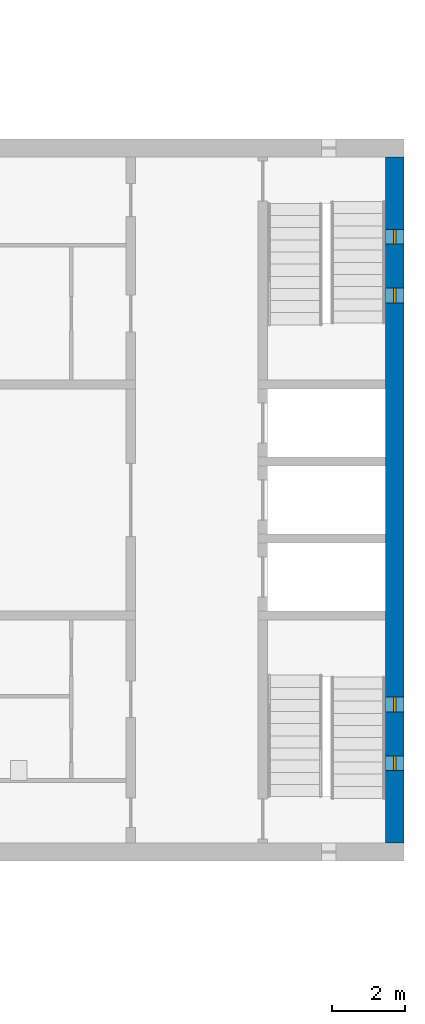
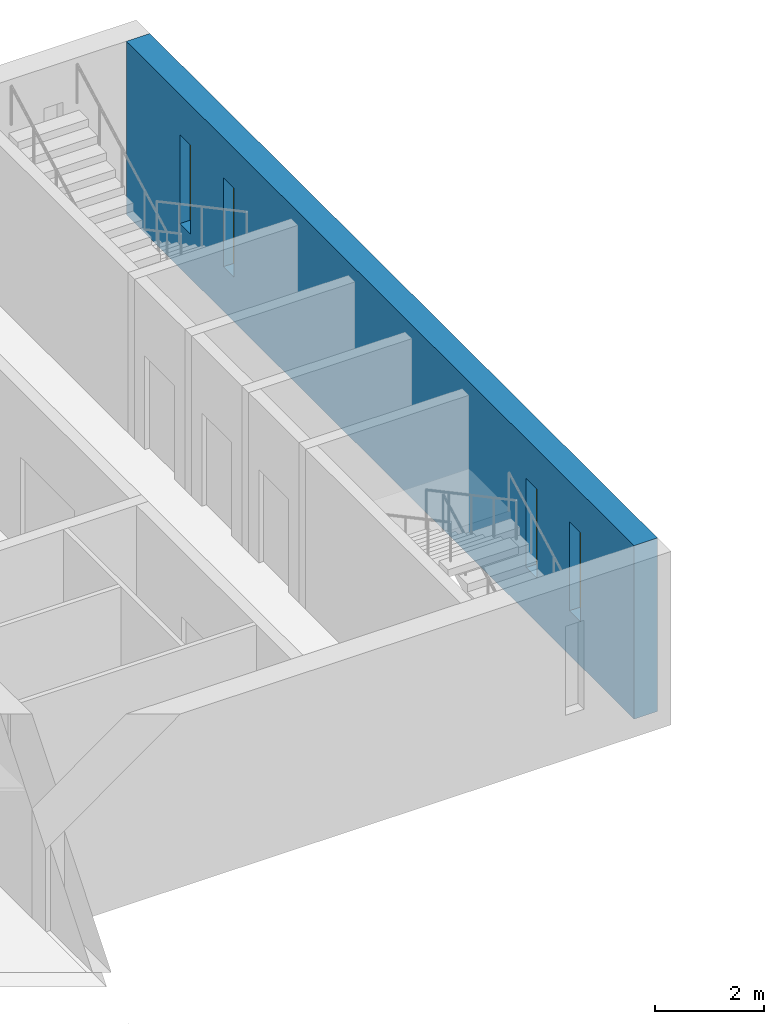
# One storey, part 14 of 19: 4 windows, 1 wall, 4 openings.
"""IFC4 building model written with IfcOpenShell, lengths in metres."""

from ifc_helpers import new_model, si_unit, direction, frame, frame_2d, origin, place, context, subcontext, project, spatial, rectangle, extrude, material, layer, layer_set, type_object, element, fill, save


model = new_model("IFC4")

# Units and contexts
model_context = context("Model", 3, precision=1e-05, world=origin(), true_north=direction((0.0, 1.0)))
body_context = subcontext(model_context, "Body", "Model", "MODEL_VIEW")
ifc_project = project(units=[si_unit("LENGTHUNIT", "METRE"), si_unit("AREAUNIT", "SQUARE_METRE"), si_unit("VOLUMEUNIT", "CUBIC_METRE"), si_unit("PLANEANGLEUNIT", "RADIAN"), si_unit("MASSUNIT", "GRAM", prefix="KILO")], contexts=[model_context])

# Site, building, storey
site_placement = place(None, origin())
site = spatial("IfcSite", under=ifc_project, at=site_placement, CompositionType="ELEMENT")
building_placement = place(site_placement, origin())
building = spatial("IfcBuilding", under=site, at=building_placement, Name="Fogon Plaza Fire Station and Headquarters Tower", CompositionType="ELEMENT")
storey_placement = place(building_placement, frame((0.0, 0.0, 21.0)))
storey = spatial("IfcBuildingStorey", under=building, at=storey_placement, Name="L05", CompositionType="ELEMENT", Elevation=21.0)

# Wall, openings, windows
ifc_material_1 = material(Name="Concrete C40", Category="concrete")
ifc_layer = layer(ifc_material_1, 0.5)
ifc_layer_set = layer_set([ifc_layer], Name="Concrete C40")
wall_type = type_object("IfcWallType", Name="Shear wall 500 SW50", PredefinedType="SHEAR", material=ifc_layer_set)
wall_placement = place(storey_placement, frame((76.800048828125, 33.85009765625, 0.0), z_axis=(0.0, 0.0, 1.0), x_axis=(0.0, 1.0, 0.0)))
wall = element("IfcWall", 1, at=wall_placement, inside=storey, type_object=wall_type, Name="wall-coreB-E-L05", PredefinedType="SHEAR", context=body_context, shape_type="SweptSolid", body=[
    extrude(rectangle(XDim=18.699951171875, YDim=0.5, at=frame_2d((9.35009765625, 0.0))), origin(), (0.0, 0.0, 1.0), 3.89990234375),
])
opening_1_placement = place(wall_placement, frame((1.97509765625, 0.0, 1.0)))
opening_1 = element("IfcOpeningElement", 2, at=opening_1_placement, cuts=wall, Name="Opening WS1", PredefinedType="OPENING", context=body_context, shape_type="SweptSolid", body=[
    extrude(rectangle(XDim=0.39990234375, YDim=2.0, at=frame_2d((0.199951171875, 1.0))), frame((0.0, 0.260009765625, 0.0), z_axis=(0.0, -1.0, 0.0), x_axis=(1.0, 0.0, 0.0)), (0.0, 0.0, 1.0), 0.52001953125),
])
opening_2_placement = place(wall_placement, frame((3.574951171875, 0.0, 1.0)))
opening_2 = element("IfcOpeningElement", 3, at=opening_2_placement, cuts=wall, Name="Opening WS1", PredefinedType="OPENING", context=body_context, shape_type="SweptSolid", body=[
    extrude(rectangle(XDim=0.39990234375, YDim=2.0, at=frame_2d((0.199951171875, 1.0))), frame((0.0, 0.260009765625, 0.0), z_axis=(0.0, -1.0, 0.0), x_axis=(1.0, 0.0, 0.0)), (0.0, 0.0, 1.0), 0.52001953125),
])
opening_3_placement = place(wall_placement, frame((14.72509765625, 0.0, 1.0)))
opening_3 = element("IfcOpeningElement", 4, at=opening_3_placement, cuts=wall, Name="Opening WS1", PredefinedType="OPENING", context=body_context, shape_type="SweptSolid", body=[
    extrude(rectangle(XDim=0.39990234375, YDim=2.0, at=frame_2d((0.199951171875, 1.0))), frame((0.0, 0.260009765625, 0.0), z_axis=(0.0, -1.0, 0.0), x_axis=(1.0, 0.0, 0.0)), (0.0, 0.0, 1.0), 0.52001953125),
])
opening_4_placement = place(wall_placement, frame((16.324951171875, 0.0, 1.0)))
opening_4 = element("IfcOpeningElement", 5, at=opening_4_placement, cuts=wall, Name="Opening WS1", PredefinedType="OPENING", context=body_context, shape_type="SweptSolid", body=[
    extrude(rectangle(XDim=0.39990234375, YDim=2.0, at=frame_2d((0.199951171875, 1.0))), frame((0.0, 0.260009765625, 0.0), z_axis=(0.0, -1.0, 0.0), x_axis=(1.0, 0.0, 0.0)), (0.0, 0.0, 1.0), 0.52001953125),
])
ifc_material_2 = material(Name="Aluminium framed double glazing", Category="aluminium")
window_type = type_object("IfcWindowType", Name="Slit Window WS1 400x2000", PartitioningType="SINGLE_PANEL", PredefinedType="WINDOW", material=ifc_material_2)
window_1_placement = place(opening_1_placement, origin())
window_1 = element("IfcWindow", 6, at=window_1_placement, inside=storey, type_object=window_type, Name="Slit window B1 L05", OverallHeight=2.0, OverallWidth=0.39990234375, PartitioningType="SINGLE_PANEL", PredefinedType="WINDOW", context=body_context, shape_type="SweptSolid", body=[
    extrude(rectangle(XDim=0.39990234375, YDim=2.0, at=frame_2d((0.199951171875, 1.0))), frame((0.0, 0.030029296875, 0.0), z_axis=(0.0, -1.0, 0.0), x_axis=(1.0, 0.0, 0.0)), (0.0, 0.0, 1.0), 0.06005859375),
])
fill(opening_1, window_1)
window_2_placement = place(opening_2_placement, origin())
window_2 = element("IfcWindow", 7, at=window_2_placement, inside=storey, type_object=window_type, Name="Slit window B2 L05", OverallHeight=2.0, OverallWidth=0.39990234375, PartitioningType="SINGLE_PANEL", PredefinedType="WINDOW", context=body_context, shape_type="SweptSolid", body=[
    extrude(rectangle(XDim=0.39990234375, YDim=2.0, at=frame_2d((0.199951171875, 1.0))), frame((0.0, 0.030029296875, 0.0), z_axis=(0.0, -1.0, 0.0), x_axis=(1.0, 0.0, 0.0)), (0.0, 0.0, 1.0), 0.06005859375),
])
fill(opening_2, window_2)
window_3_placement = place(opening_3_placement, origin())
window_3 = element("IfcWindow", 8, at=window_3_placement, inside=storey, type_object=window_type, Name="Slit window B3 L05", OverallHeight=2.0, OverallWidth=0.39990234375, PartitioningType="SINGLE_PANEL", PredefinedType="WINDOW", context=body_context, shape_type="SweptSolid", body=[
    extrude(rectangle(XDim=0.39990234375, YDim=2.0, at=frame_2d((0.199951171875, 1.0))), frame((0.0, 0.030029296875, 0.0), z_axis=(0.0, -1.0, 0.0), x_axis=(1.0, 0.0, 0.0)), (0.0, 0.0, 1.0), 0.06005859375),
])
fill(opening_3, window_3)
window_4_placement = place(opening_4_placement, origin())
window_4 = element("IfcWindow", 9, at=window_4_placement, inside=storey, type_object=window_type, Name="Slit window B4 L05", OverallHeight=2.0, OverallWidth=0.39990234375, PartitioningType="SINGLE_PANEL", PredefinedType="WINDOW", context=body_context, shape_type="SweptSolid", body=[
    extrude(rectangle(XDim=0.39990234375, YDim=2.0, at=frame_2d((0.199951171875, 1.0))), frame((0.0, 0.030029296875, 0.0), z_axis=(0.0, -1.0, 0.0), x_axis=(1.0, 0.0, 0.0)), (0.0, 0.0, 1.0), 0.06005859375),
])
fill(opening_4, window_4)

save(model, "model.ifc")
